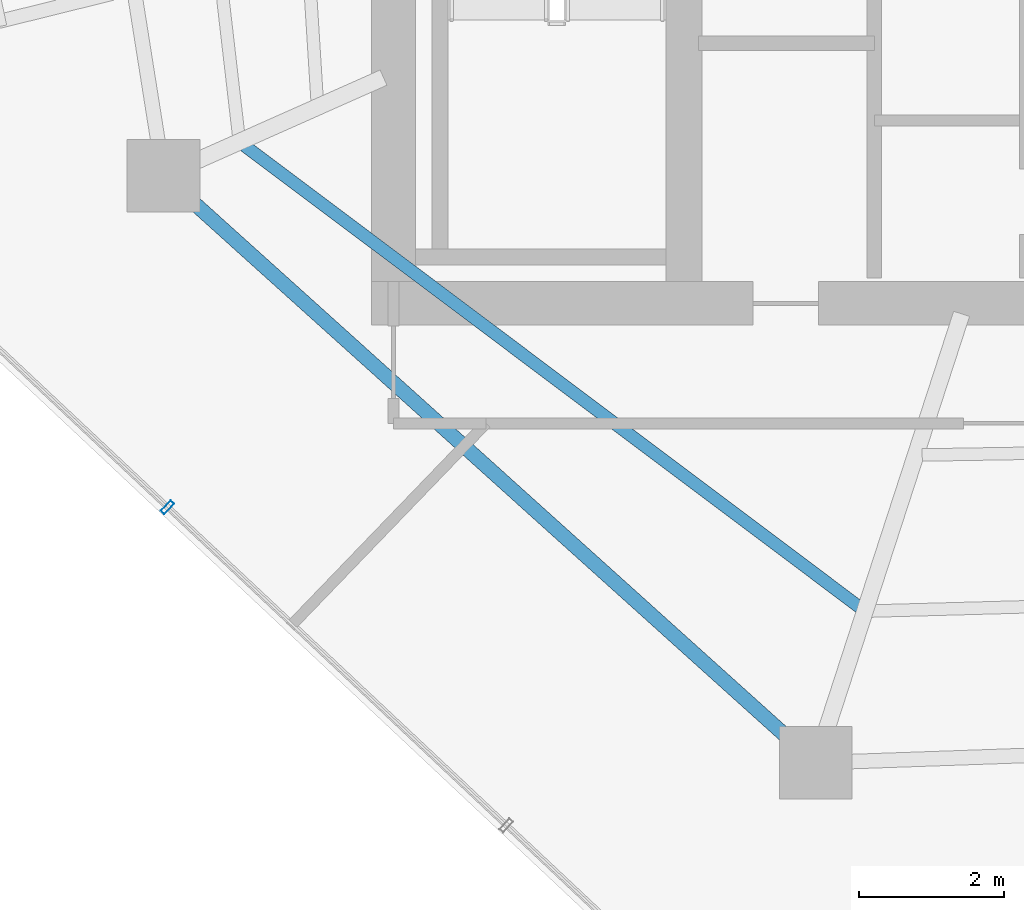
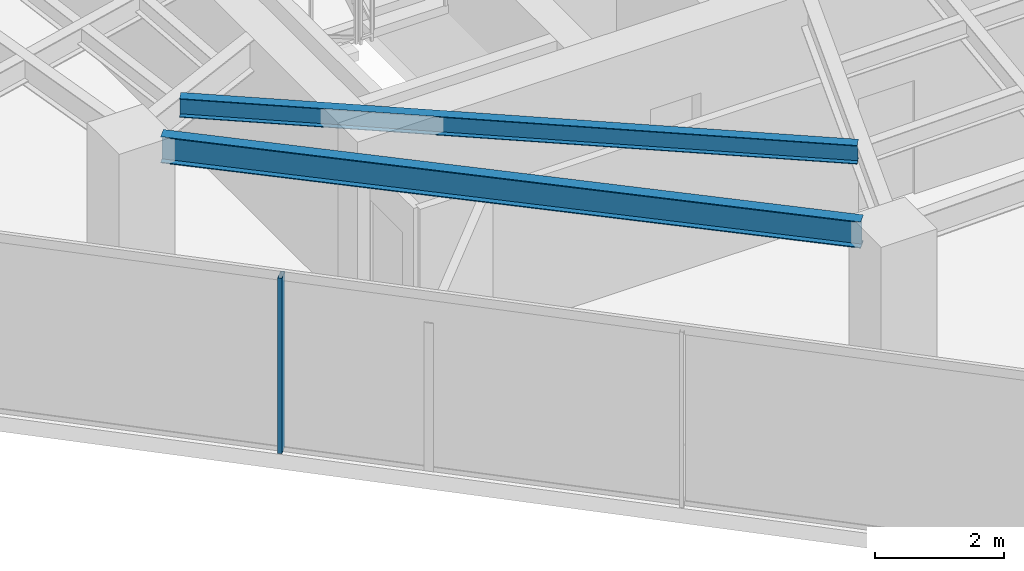
# One storey, part 4 of 19: 2 beams, 1 member, 1 element without a shape of its own.
"""IFC4 building model written with IfcOpenShell, lengths in metres."""

from ifc_helpers import new_model, si_unit, direction, frame, origin, origin_2d, place, context, subcontext, project, spatial, hollow_rectangle, i_section, extrude, material, layer, layer_set, material_profile, profile_set, type_object, element, aggregate, save


model = new_model("IFC4")

# Units and contexts
model_context = context("Model", 3, precision=1e-05, world=origin(), true_north=direction((0.0, 1.0)))
body_context = subcontext(model_context, "Body", "Model", "MODEL_VIEW")
ifc_project = project(units=[si_unit("LENGTHUNIT", "METRE"), si_unit("AREAUNIT", "SQUARE_METRE"), si_unit("VOLUMEUNIT", "CUBIC_METRE"), si_unit("PLANEANGLEUNIT", "RADIAN"), si_unit("MASSUNIT", "GRAM", prefix="KILO")], contexts=[model_context])

# Site, building, storey
site_placement = place(None, origin())
site = spatial("IfcSite", under=ifc_project, at=site_placement, CompositionType="ELEMENT")
building_placement = place(site_placement, origin())
building = spatial("IfcBuilding", under=site, at=building_placement, Name="Qarnah Convention Tower", CompositionType="ELEMENT")
storey_placement = place(building_placement, frame((0.0, 0.0, 129.300048828125)))
storey = spatial("IfcBuildingStorey", under=building, at=storey_placement, Name="L34", CompositionType="ELEMENT", Elevation=129.300048828125)

# Beams
ifc_material_1 = material(Name="Structural steel S355JR", Category="steel")
ifc_material_profile_1 = material_profile(ifc_material_1, i_section(OverallWidth=0.172119140625, OverallDepth=0.35595703125, WebThickness=0.007080078125, FlangeThickness=0.011962890625, at=origin_2d()), Name="W360X51")
ifc_profile_set_1 = profile_set([ifc_material_profile_1], Name="Structural steel S355JR")
beam_type_1 = type_object("IfcBeamType", Name="BM-JST-W360", PredefinedType="JOIST", material=ifc_profile_set_1)
beam_1_placement = place(storey_placement, frame((24.7509765625, 20.77099609375, 3.141845703125), z_axis=(0.799842204351, -0.600210336581, 0.0), x_axis=(0.600210336581, 0.799842204351, 0.0)))
element("IfcBeam", 1, at=beam_1_placement, inside=storey, type_object=beam_type_1, Name="L34 joist BM-L34-SJST-06", PredefinedType="JOIST", context=body_context, shape_type="SweptSolid", body=[
    extrude(i_section(OverallWidth=0.172119140625, OverallDepth=0.35595703125, WebThickness=0.007080078125, FlangeThickness=0.011962890625, at=origin_2d()), origin(), (0.0, 0.0, 1.0), 10.584716796875),
])
ifc_material_profile_2 = material_profile(ifc_material_1, i_section(OverallWidth=0.199951171875, OverallDepth=0.5, WebThickness=0.010009765625, FlangeThickness=0.01611328125, at=origin_2d()), Name="IPE500")
ifc_profile_set_2 = profile_set([ifc_material_profile_2], Name="Structural steel S355JR")
beam_type_2 = type_object("IfcBeamType", Name="BM-SPN-IPE500", PredefinedType="SPANDREL", material=ifc_profile_set_2)
beam_2_placement = place(storey_placement, frame((23.998046875, 20.031982421875, 3.070068359375), z_axis=(0.743165079224, -0.66910811161, 0.0), x_axis=(0.66910811161, 0.743165079224, 0.0)))
element("IfcBeam", 2, at=beam_2_placement, inside=storey, type_object=beam_type_2, Name="L34 spandrel BM-L34-SPN-06", PredefinedType="SPANDREL", context=body_context, shape_type="SweptSolid", body=[
    extrude(i_section(OverallWidth=0.199951171875, OverallDepth=0.5, WebThickness=0.010009765625, FlangeThickness=0.01611328125, at=origin_2d()), origin(), (0.0, 0.0, 1.0), 11.099853515625),
])

# Curtain wall, member
ifc_material_2 = material(Name="Tempered Low-E dark glass", Category="glass")
ifc_layer = layer(ifc_material_2, 0.172119140625)
ifc_layer_set = layer_set([ifc_layer], Name="Tempered Low-E dark glass")
curtain_wall_type = type_object("IfcCurtainWallType", Name="CWS-03", PredefinedType="NOTDEFINED", material=ifc_layer_set)
curtain_wall_placement = place(storey_placement, origin())
curtain_wall = element("IfcCurtainWall", 3, at=curtain_wall_placement, inside=storey, type_object=curtain_wall_type, Name="L34 unitised curtain wall CW-L34-F1", PredefinedType="NOTDEFINED")
ifc_material_3 = material(Name="Black anodised aluminium", Category="aluminium")
ifc_material_profile_3 = material_profile(ifc_material_3, hollow_rectangle(XDim=0.070068359375, YDim=0.199951171875, WallThickness=0.0048828125, at=origin_2d()), Name="MUL-70X200")
ifc_profile_set_3 = profile_set([ifc_material_profile_3], Name="Black anodised aluminium")
member_type = type_object("IfcMemberType", Name="MUL-T3", PredefinedType="MULLION", material=ifc_profile_set_3)
member_placement = place(storey_placement, frame((23.68798828125, 15.79345703125, 0.0), z_axis=(0.0, 0.0, 1.0), x_axis=(-0.728967659665, 0.684548136483, 0.0)))
member = element("IfcMember", 4, at=member_placement, type_object=member_type, Name="CW-L34-F1 mullion 4", PredefinedType="MULLION", context=body_context, shape_type="SweptSolid", body=[
    extrude(hollow_rectangle(XDim=0.070068359375, YDim=0.199951171875, WallThickness=0.0048828125, at=origin_2d()), origin(), (0.0, 0.0, 1.0), 3.320068359375),
])
aggregate(curtain_wall, [member])

save(model, "model.ifc")
